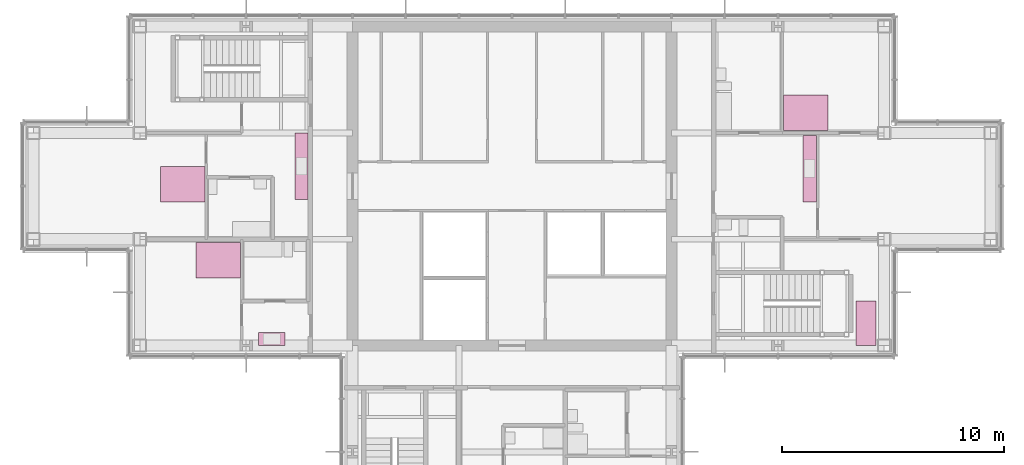
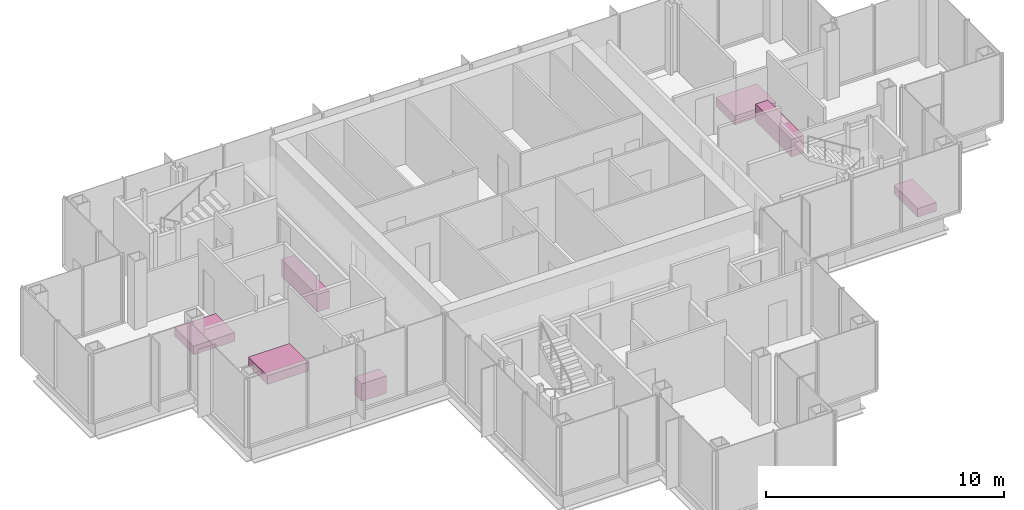
# One storey, part 15 of 15: 7 furniture elements.
"""IFC4 building model written with IfcOpenShell, lengths in metres."""

from ifc_helpers import new_model, si_unit, direction, frame, origin, origin_2d, place, context, subcontext, project, spatial, rectangle, extrude, material, type_object, element, save


model = new_model("IFC4")

# Units and contexts
model_context = context("Model", 3, precision=1e-05, world=origin(), true_north=direction((0.0, 1.0)))
body_context = subcontext(model_context, "Body", "Model", "MODEL_VIEW")
ifc_project = project(units=[si_unit("LENGTHUNIT", "METRE"), si_unit("AREAUNIT", "SQUARE_METRE"), si_unit("VOLUMEUNIT", "CUBIC_METRE"), si_unit("PLANEANGLEUNIT", "RADIAN"), si_unit("MASSUNIT", "GRAM", prefix="KILO")], contexts=[model_context])

# Site, building, storey
site_placement = place(None, origin())
site = spatial("IfcSite", under=ifc_project, at=site_placement, CompositionType="ELEMENT")
building_placement = place(site_placement, origin())
building = spatial("IfcBuilding", under=site, at=building_placement, Name="Kvirike Care Tower", CompositionType="ELEMENT")
storey_placement = place(building_placement, frame((0.0, 0.0, 205.0)))
storey = spatial("IfcBuildingStorey", under=building, at=storey_placement, Name="L56", CompositionType="ELEMENT", Elevation=205.0)

# Furniture
ifc_material_1 = material(Name="Timber", Category="wood")
furniture_type_1 = type_object("IfcFurnitureType", Name="DOUBLE BED 1600 x 2000", AssemblyPlace="FACTORY", PredefinedType="BED", material=ifc_material_1)
for number, where, z_axis, x_axis, name in (
    (1, (6.738037109375, 36.090087890625, 0.0), (0.0, 0.0, 1.0), (0.0, -1.0, 0.0), "Double bed L56-004"),
    (2, (8.337890625, 32.64990234375, 0.0), (0.0, 0.0, 1.0), (0.0, -1.0, 0.0), "Double bed L56-007"),
    (3, (34.862060546875, 39.31005859375, 0.0), (0.0, 0.0, 1.0), (0.0, 1.0, 0.0), "Double bed L56-023"),
):
    element("IfcFurniture", number, at=place(storey_placement, frame(where, z_axis=z_axis, x_axis=x_axis)), inside=storey, type_object=furniture_type_1, Name=name, PredefinedType="BED", context=body_context, shape_type="SweptSolid", body=[
        extrude(rectangle(XDim=1.60009765625, YDim=2.0, at=origin_2d()), origin(), (0.0, 0.0, 1.0), 0.449951171875),
    ])
ifc_material_2 = material(Name="Laminated board", Category="wood")
furniture_type_2 = type_object("IfcFurnitureType", Name="KITCHEN UNIT RUN 600", AssemblyPlace="FACTORY", PredefinedType="USERDEFINED", material=ifc_material_2)
furniture_1_placement = place(storey_placement, frame((12.097900390625, 36.89990234375, 0.0), z_axis=(0.0, 0.0, 1.0), x_axis=(0.0, -1.0, 0.0)))
element("IfcFurniture", 4, at=furniture_1_placement, inside=storey, type_object=furniture_type_2, Name="Kitchen unit run L56-006", ObjectType="KITCHEN UNIT", PredefinedType="USERDEFINED", context=body_context, shape_type="SweptSolid", body=[
    extrude(rectangle(XDim=3.0, YDim=0.60009765625, at=origin_2d()), origin(), (0.0, 0.0, 1.0), 0.89990234375),
])
furniture_2_placement = place(storey_placement, frame((10.75, 29.10205078125, 0.0), z_axis=(0.0, 0.0, 1.0), x_axis=(-1.0, 0.0, 0.0)))
element("IfcFurniture", 5, at=furniture_2_placement, inside=storey, type_object=furniture_type_2, Name="Kitchen unit run L56-009", ObjectType="KITCHEN UNIT", PredefinedType="USERDEFINED", context=body_context, shape_type="SweptSolid", body=[
    extrude(rectangle(XDim=1.199951171875, YDim=0.60009765625, at=origin_2d()), origin(), (0.0, 0.0, 1.0), 0.89990234375),
])
furniture_3_placement = place(storey_placement, frame((35.0380859375, 36.7900390625, 0.0), z_axis=(0.0, 0.0, 1.0), x_axis=(0.0, -1.0, 0.0)))
element("IfcFurniture", 6, at=furniture_3_placement, inside=storey, type_object=furniture_type_2, Name="Kitchen unit run L56-026", ObjectType="KITCHEN UNIT", PredefinedType="USERDEFINED", context=body_context, shape_type="SweptSolid", body=[
    extrude(rectangle(XDim=3.0, YDim=0.60009765625, at=origin_2d()), origin(), (0.0, 0.0, 1.0), 0.89990234375),
])
ifc_material_3 = material(Name="Timber", Category="wood")
furniture_type_3 = type_object("IfcFurnitureType", Name="SINGLE BED 900 x 2000", AssemblyPlace="FACTORY", PredefinedType="BED", material=ifc_material_3)
furniture_4_placement = place(storey_placement, frame((37.580078125, 29.802001953125, 0.0), z_axis=(0.0, 0.0, 1.0), x_axis=(-1.0, 0.0, 0.0)))
element("IfcFurniture", 7, at=furniture_4_placement, inside=storey, type_object=furniture_type_3, Name="Single bed L56-021", PredefinedType="BED", context=body_context, shape_type="SweptSolid", body=[
    extrude(rectangle(XDim=0.89990234375, YDim=2.0, at=origin_2d()), origin(), (0.0, 0.0, 1.0), 0.449951171875),
])

save(model, "model.ifc")
